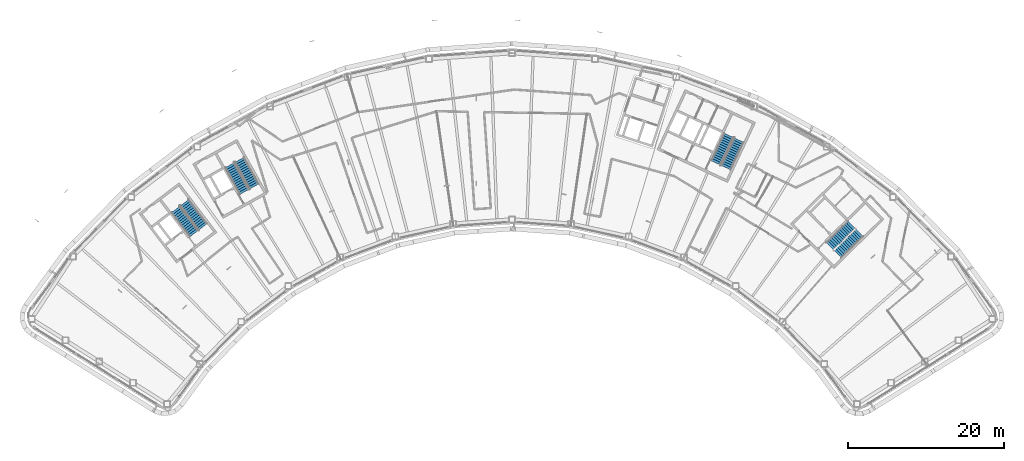
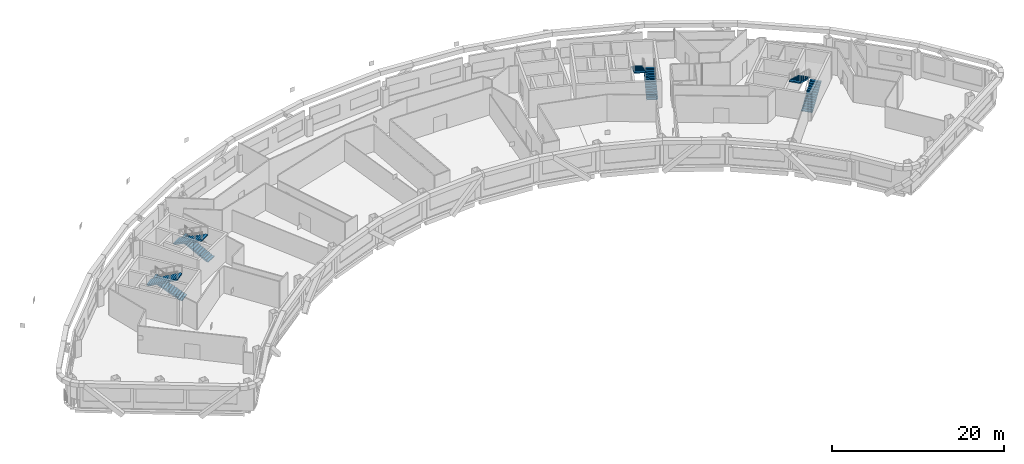
# One storey, part 11 of 21: 8 stair flights, 4 elements without a shape of their own.
"""IFC4 building model written with IfcOpenShell, lengths in metres."""

from ifc_helpers import new_model, si_unit, direction, frame, origin, place, context, subcontext, project, spatial, polyline, outline, extrude, material, type_object, element, aggregate, save


model = new_model("IFC4")

# Units and contexts
model_context = context("Model", 3, precision=1e-05, world=origin(), true_north=direction((0.0, 1.0)))
body_context = subcontext(model_context, "Body", "Model", "MODEL_VIEW")
ifc_project = project(units=[si_unit("LENGTHUNIT", "METRE"), si_unit("AREAUNIT", "SQUARE_METRE"), si_unit("VOLUMEUNIT", "CUBIC_METRE"), si_unit("PLANEANGLEUNIT", "RADIAN"), si_unit("MASSUNIT", "GRAM", prefix="KILO")], contexts=[model_context])

# Site, building, storey
site_placement = place(None, origin())
site = spatial("IfcSite", under=ifc_project, at=site_placement, CompositionType="ELEMENT")
building_placement = place(site_placement, origin())
building = spatial("IfcBuilding", under=site, at=building_placement, Name="Tuul Gate Civic Tower", CompositionType="ELEMENT")
storey_placement = place(building_placement, frame((0.0, 0.0, 311.0)))
storey = spatial("IfcBuildingStorey", under=building, at=storey_placement, Name="Level 70", CompositionType="ELEMENT", Elevation=311.0)

# Stair, stair flights
ifc_material_1 = material(Name="Concrete C40/50", Category="concrete")
stair_type = type_object("IfcStairType", Name="Exit stair", PredefinedType="HALF_TURN_STAIR", material=ifc_material_1)
stair_1_placement = place(storey_placement, origin())
stair_1 = element("IfcStair", 1, at=stair_1_placement, inside=storey, type_object=stair_type, Name="Level 70 ST-1", PredefinedType="HALF_TURN_STAIR")
ifc_material_2 = material(Name="Concrete C40/50", Category="concrete")
stair_flight_type = type_object("IfcStairFlightType", Name="Exit stair flight", PredefinedType="STRAIGHT", material=ifc_material_2)
stair_flight_1_placement = place(storey_placement, frame((-32.875244140625, -13.066650390625, 0.0), z_axis=(0.0, 0.0, 1.0), x_axis=(-0.605764474941, 0.795644016442, 0.0)))
stair_flight_1 = element("IfcStairFlight", 2, at=stair_flight_1_placement, type_object=stair_flight_type, Name="ST-1 flight 1", NumberOfRisers=14, NumberOfTreads=13, PredefinedType="STRAIGHT", RiserHeight=0.15, TreadLength=0.3, context=body_context, shape_type="SweptSolid", body=[
    extrude(outline(polyline([(0.0, 0.0), (0.0, 0.14990234375), (0.300048828125, 0.14990234375), (0.300048828125, 0.300048828125), (0.60009765625, 0.300048828125), (0.60009765625, 0.449951171875), (0.89990234375, 0.449951171875), (0.89990234375, 0.60009765625), (1.199951171875, 0.60009765625), (1.199951171875, 0.75), (1.5, 0.75), (1.5, 0.89990234375), (1.800048828125, 0.89990234375), (1.800048828125, 1.050048828125), (2.10009765625, 1.050048828125), (2.10009765625, 1.199951171875), (2.39990234375, 1.199951171875), (2.39990234375, 1.35009765625), (2.699951171875, 1.35009765625), (2.699951171875, 1.5), (3.0, 1.5), (3.0, 1.64990234375), (3.300048828125, 1.64990234375), (3.300048828125, 1.800048828125), (3.60009765625, 1.800048828125), (3.60009765625, 1.949951171875), (3.89990234375, 1.949951171875), (3.89990234375, 2.10009765625), (3.89990234375, 1.782470703125), (0.335205078125, 0.0), (0.0, 0.0)])), frame((0.0, 0.675048828125, 0.0), z_axis=(0.0, -1.0, 0.0), x_axis=(1.0, 0.0, 0.0)), (0.0, 0.0, 1.0), 1.35009765625),
])
stair_flight_2_placement = place(storey_placement, frame((-36.391357421875, -10.842041015625, 2.10009765625), z_axis=(0.0, 0.0, 1.0), x_axis=(0.605764474941, -0.795644016442, 0.0)))
stair_flight_2 = element("IfcStairFlight", 3, at=stair_flight_2_placement, type_object=stair_flight_type, Name="ST-1 flight 2", NumberOfRisers=14, NumberOfTreads=13, PredefinedType="STRAIGHT", RiserHeight=0.15, TreadLength=0.3, context=body_context, shape_type="SweptSolid", body=[
    extrude(outline(polyline([(0.0, 0.0), (0.0, 0.14990234375), (0.300048828125, 0.14990234375), (0.300048828125, 0.300048828125), (0.60009765625, 0.300048828125), (0.60009765625, 0.449951171875), (0.89990234375, 0.449951171875), (0.89990234375, 0.60009765625), (1.199951171875, 0.60009765625), (1.199951171875, 0.75), (1.5, 0.75), (1.5, 0.89990234375), (1.800048828125, 0.89990234375), (1.800048828125, 1.050048828125), (2.10009765625, 1.050048828125), (2.10009765625, 1.199951171875), (2.39990234375, 1.199951171875), (2.39990234375, 1.35009765625), (2.699951171875, 1.35009765625), (2.699951171875, 1.5), (3.0, 1.5), (3.0, 1.64990234375), (3.300048828125, 1.64990234375), (3.300048828125, 1.800048828125), (3.60009765625, 1.800048828125), (3.60009765625, 1.949951171875), (3.89990234375, 1.949951171875), (3.89990234375, 2.10009765625), (3.89990234375, 1.782470703125), (0.335205078125, 0.0), (0.0, 0.0)])), frame((0.0, 0.675048828125, 0.0), z_axis=(0.0, -1.0, 0.0), x_axis=(1.0, 0.0, 0.0)), (0.0, 0.0, 1.0), 1.35009765625),
])
aggregate(stair_1, [stair_flight_1, stair_flight_2])

stair_2_placement = place(storey_placement, origin())
stair_2 = element("IfcStair", 4, at=stair_2_placement, inside=storey, type_object=stair_type, Name="Level 70 ST-2", PredefinedType="HALF_TURN_STAIR")
stair_flight_3_placement = place(storey_placement, frame((-26.29150390625, -7.87646484375, 0.0), z_axis=(0.0, 0.0, 1.0), x_axis=(-0.484761763766, 0.874646232708, 0.0)))
stair_flight_3 = element("IfcStairFlight", 5, at=stair_flight_3_placement, type_object=stair_flight_type, Name="ST-2 flight 1", NumberOfRisers=14, NumberOfTreads=13, PredefinedType="STRAIGHT", RiserHeight=0.15, TreadLength=0.3, context=body_context, shape_type="SweptSolid", body=[
    extrude(outline(polyline([(0.0, 0.0), (0.0, 0.14990234375), (0.300048828125, 0.14990234375), (0.300048828125, 0.300048828125), (0.60009765625, 0.300048828125), (0.60009765625, 0.449951171875), (0.89990234375, 0.449951171875), (0.89990234375, 0.60009765625), (1.199951171875, 0.60009765625), (1.199951171875, 0.75), (1.5, 0.75), (1.5, 0.89990234375), (1.800048828125, 0.89990234375), (1.800048828125, 1.050048828125), (2.10009765625, 1.050048828125), (2.10009765625, 1.199951171875), (2.39990234375, 1.199951171875), (2.39990234375, 1.35009765625), (2.699951171875, 1.35009765625), (2.699951171875, 1.5), (3.0, 1.5), (3.0, 1.64990234375), (3.300048828125, 1.64990234375), (3.300048828125, 1.800048828125), (3.60009765625, 1.800048828125), (3.60009765625, 1.949951171875), (3.89990234375, 1.949951171875), (3.89990234375, 2.10009765625), (3.89990234375, 1.782470703125), (0.335205078125, 0.0), (0.0, 0.0)])), frame((0.0, 0.675048828125, 0.0), z_axis=(0.0, -1.0, 0.0), x_axis=(1.0, 0.0, 0.0)), (0.0, 0.0, 1.0), 1.35009765625),
])
stair_flight_4_placement = place(storey_placement, frame((-29.450439453125, -5.168212890625, 2.10009765625), z_axis=(0.0, 0.0, 1.0), x_axis=(0.484761763766, -0.874646232708, 0.0)))
stair_flight_4 = element("IfcStairFlight", 6, at=stair_flight_4_placement, type_object=stair_flight_type, Name="ST-2 flight 2", NumberOfRisers=14, NumberOfTreads=13, PredefinedType="STRAIGHT", RiserHeight=0.15, TreadLength=0.3, context=body_context, shape_type="SweptSolid", body=[
    extrude(outline(polyline([(0.0, 0.0), (0.0, 0.14990234375), (0.300048828125, 0.14990234375), (0.300048828125, 0.300048828125), (0.60009765625, 0.300048828125), (0.60009765625, 0.449951171875), (0.89990234375, 0.449951171875), (0.89990234375, 0.60009765625), (1.199951171875, 0.60009765625), (1.199951171875, 0.75), (1.5, 0.75), (1.5, 0.89990234375), (1.800048828125, 0.89990234375), (1.800048828125, 1.050048828125), (2.10009765625, 1.050048828125), (2.10009765625, 1.199951171875), (2.39990234375, 1.199951171875), (2.39990234375, 1.35009765625), (2.699951171875, 1.35009765625), (2.699951171875, 1.5), (3.0, 1.5), (3.0, 1.64990234375), (3.300048828125, 1.64990234375), (3.300048828125, 1.800048828125), (3.60009765625, 1.800048828125), (3.60009765625, 1.949951171875), (3.89990234375, 1.949951171875), (3.89990234375, 2.10009765625), (3.89990234375, 1.782470703125), (0.335205078125, 0.0), (0.0, 0.0)])), frame((0.0, 0.675048828125, 0.0), z_axis=(0.0, -1.0, 0.0), x_axis=(1.0, 0.0, 0.0)), (0.0, 0.0, 1.0), 1.35009765625),
])
aggregate(stair_2, [stair_flight_3, stair_flight_4])

stair_3_placement = place(storey_placement, origin())
stair_3 = element("IfcStair", 7, at=stair_3_placement, inside=storey, type_object=stair_type, Name="Level 70 ST-3", PredefinedType="HALF_TURN_STAIR")
stair_flight_5_placement = place(storey_placement, frame((48.61376953125, -16.581787109375, 0.0), z_axis=(0.0, 0.0, 1.0), x_axis=(0.714127290059, 0.700015866672, 0.0)))
stair_flight_5 = element("IfcStairFlight", 8, at=stair_flight_5_placement, type_object=stair_flight_type, Name="ST-3 flight 1", NumberOfRisers=14, NumberOfTreads=13, PredefinedType="STRAIGHT", RiserHeight=0.15, TreadLength=0.3, context=body_context, shape_type="SweptSolid", body=[
    extrude(outline(polyline([(0.0, 0.0), (0.0, 0.14990234375), (0.300048828125, 0.14990234375), (0.300048828125, 0.300048828125), (0.60009765625, 0.300048828125), (0.60009765625, 0.449951171875), (0.89990234375, 0.449951171875), (0.89990234375, 0.60009765625), (1.199951171875, 0.60009765625), (1.199951171875, 0.75), (1.5, 0.75), (1.5, 0.89990234375), (1.800048828125, 0.89990234375), (1.800048828125, 1.050048828125), (2.10009765625, 1.050048828125), (2.10009765625, 1.199951171875), (2.39990234375, 1.199951171875), (2.39990234375, 1.35009765625), (2.699951171875, 1.35009765625), (2.699951171875, 1.5), (3.0, 1.5), (3.0, 1.64990234375), (3.300048828125, 1.64990234375), (3.300048828125, 1.800048828125), (3.60009765625, 1.800048828125), (3.60009765625, 1.949951171875), (3.89990234375, 1.949951171875), (3.89990234375, 2.10009765625), (3.89990234375, 1.782470703125), (0.335205078125, 0.0), (0.0, 0.0)])), frame((0.0, 0.675048828125, 0.0), z_axis=(0.0, -1.0, 0.0), x_axis=(1.0, 0.0, 0.0)), (0.0, 0.0, 1.0), 1.35009765625),
])
stair_flight_6_placement = place(storey_placement, frame((50.3837890625, -12.816162109375, 2.10009765625), z_axis=(0.0, 0.0, 1.0), x_axis=(-0.714127290059, -0.700015866672, 0.0)))
stair_flight_6 = element("IfcStairFlight", 9, at=stair_flight_6_placement, type_object=stair_flight_type, Name="ST-3 flight 2", NumberOfRisers=14, NumberOfTreads=13, PredefinedType="STRAIGHT", RiserHeight=0.15, TreadLength=0.3, context=body_context, shape_type="SweptSolid", body=[
    extrude(outline(polyline([(0.0, 0.0), (0.0, 0.14990234375), (0.300048828125, 0.14990234375), (0.300048828125, 0.300048828125), (0.60009765625, 0.300048828125), (0.60009765625, 0.449951171875), (0.89990234375, 0.449951171875), (0.89990234375, 0.60009765625), (1.199951171875, 0.60009765625), (1.199951171875, 0.75), (1.5, 0.75), (1.5, 0.89990234375), (1.800048828125, 0.89990234375), (1.800048828125, 1.050048828125), (2.10009765625, 1.050048828125), (2.10009765625, 1.199951171875), (2.39990234375, 1.199951171875), (2.39990234375, 1.35009765625), (2.699951171875, 1.35009765625), (2.699951171875, 1.5), (3.0, 1.5), (3.0, 1.64990234375), (3.300048828125, 1.64990234375), (3.300048828125, 1.800048828125), (3.60009765625, 1.800048828125), (3.60009765625, 1.949951171875), (3.89990234375, 1.949951171875), (3.89990234375, 2.10009765625), (3.89990234375, 1.782470703125), (0.335205078125, 0.0), (0.0, 0.0)])), frame((0.0, 0.675048828125, 0.0), z_axis=(0.0, -1.0, 0.0), x_axis=(1.0, 0.0, 0.0)), (0.0, 0.0, 1.0), 1.35009765625),
])
aggregate(stair_3, [stair_flight_5, stair_flight_6])

stair_4_placement = place(storey_placement, origin())
stair_4 = element("IfcStair", 10, at=stair_4_placement, inside=storey, type_object=stair_type, Name="Level 70 ST-4", PredefinedType="HALF_TURN_STAIR")
stair_flight_7_placement = place(storey_placement, frame((34.278564453125, -5.478515625, 0.0), z_axis=(0.0, 0.0, 1.0), x_axis=(0.422576295988, 0.906327354806, 0.0)))
stair_flight_7 = element("IfcStairFlight", 11, at=stair_flight_7_placement, type_object=stair_flight_type, Name="ST-4 flight 1", NumberOfRisers=14, NumberOfTreads=13, PredefinedType="STRAIGHT", RiserHeight=0.15, TreadLength=0.3, context=body_context, shape_type="SweptSolid", body=[
    extrude(outline(polyline([(0.0, 0.0), (0.0, 0.14990234375), (0.300048828125, 0.14990234375), (0.300048828125, 0.300048828125), (0.60009765625, 0.300048828125), (0.60009765625, 0.449951171875), (0.89990234375, 0.449951171875), (0.89990234375, 0.60009765625), (1.199951171875, 0.60009765625), (1.199951171875, 0.75), (1.5, 0.75), (1.5, 0.89990234375), (1.800048828125, 0.89990234375), (1.800048828125, 1.050048828125), (2.10009765625, 1.050048828125), (2.10009765625, 1.199951171875), (2.39990234375, 1.199951171875), (2.39990234375, 1.35009765625), (2.699951171875, 1.35009765625), (2.699951171875, 1.5), (3.0, 1.5), (3.0, 1.64990234375), (3.300048828125, 1.64990234375), (3.300048828125, 1.800048828125), (3.60009765625, 1.800048828125), (3.60009765625, 1.949951171875), (3.89990234375, 1.949951171875), (3.89990234375, 2.10009765625), (3.89990234375, 1.782470703125), (0.335205078125, 0.0), (0.0, 0.0)])), frame((0.0, 0.675048828125, 0.0), z_axis=(0.0, -1.0, 0.0), x_axis=(1.0, 0.0, 0.0)), (0.0, 0.0, 1.0), 1.35009765625),
])
stair_flight_8_placement = place(storey_placement, frame((34.612548828125, -1.3310546875, 2.10009765625), z_axis=(0.0, 0.0, 1.0), x_axis=(-0.422576295988, -0.906327354806, 0.0)))
stair_flight_8 = element("IfcStairFlight", 12, at=stair_flight_8_placement, type_object=stair_flight_type, Name="ST-4 flight 2", NumberOfRisers=14, NumberOfTreads=13, PredefinedType="STRAIGHT", RiserHeight=0.15, TreadLength=0.3, context=body_context, shape_type="SweptSolid", body=[
    extrude(outline(polyline([(0.0, 0.0), (0.0, 0.14990234375), (0.300048828125, 0.14990234375), (0.300048828125, 0.300048828125), (0.60009765625, 0.300048828125), (0.60009765625, 0.449951171875), (0.89990234375, 0.449951171875), (0.89990234375, 0.60009765625), (1.199951171875, 0.60009765625), (1.199951171875, 0.75), (1.5, 0.75), (1.5, 0.89990234375), (1.800048828125, 0.89990234375), (1.800048828125, 1.050048828125), (2.10009765625, 1.050048828125), (2.10009765625, 1.199951171875), (2.39990234375, 1.199951171875), (2.39990234375, 1.35009765625), (2.699951171875, 1.35009765625), (2.699951171875, 1.5), (3.0, 1.5), (3.0, 1.64990234375), (3.300048828125, 1.64990234375), (3.300048828125, 1.800048828125), (3.60009765625, 1.800048828125), (3.60009765625, 1.949951171875), (3.89990234375, 1.949951171875), (3.89990234375, 2.10009765625), (3.89990234375, 1.782470703125), (0.335205078125, 0.0), (0.0, 0.0)])), frame((0.0, 0.675048828125, 0.0), z_axis=(0.0, -1.0, 0.0), x_axis=(1.0, 0.0, 0.0)), (0.0, 0.0, 1.0), 1.35009765625),
])
aggregate(stair_4, [stair_flight_7, stair_flight_8])

save(model, "model.ifc")
